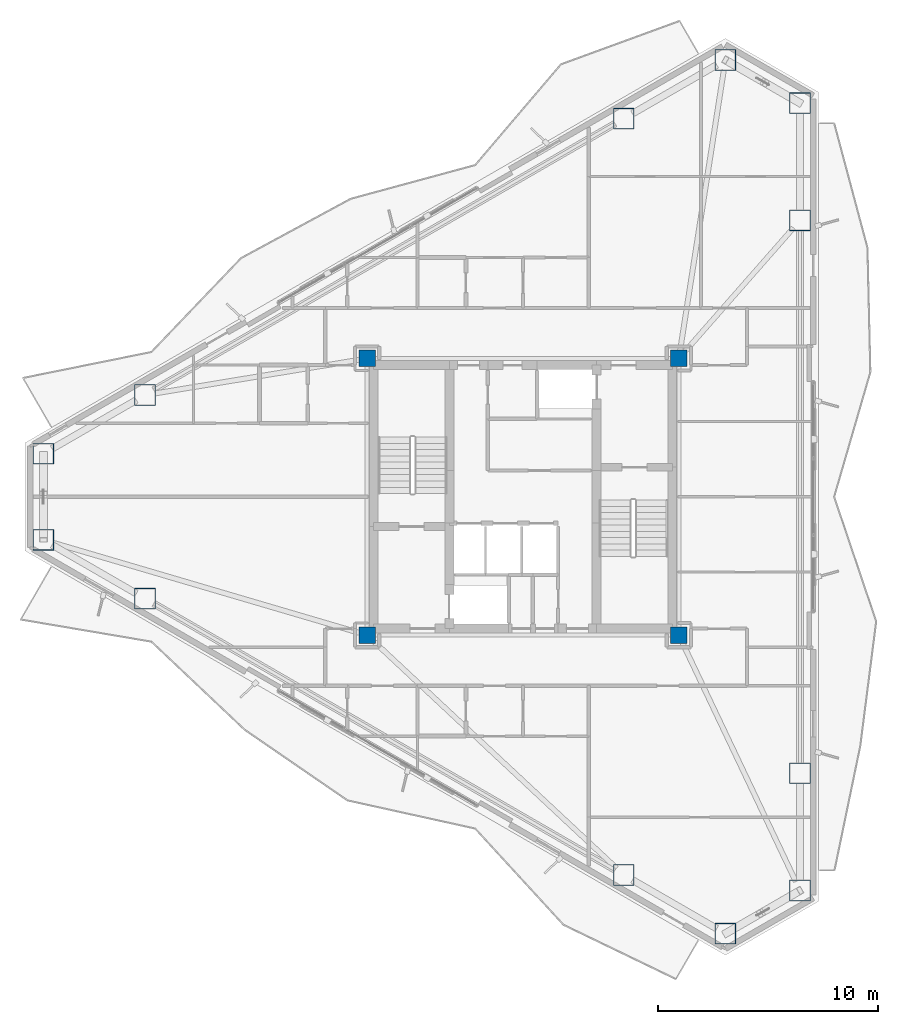
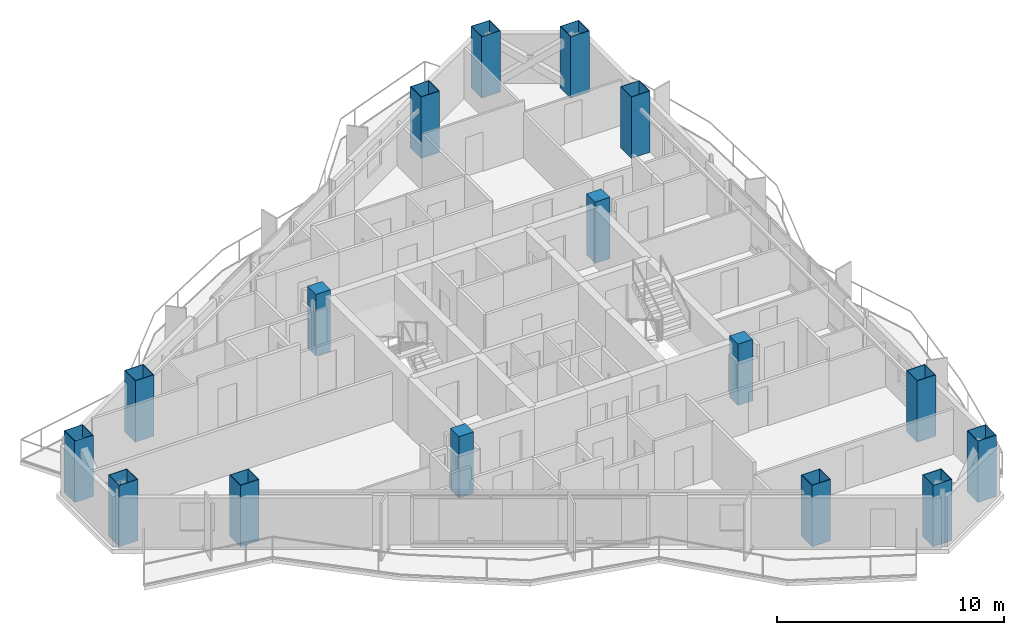
# One storey, part 1 of 18: 16 columns.
"""IFC4 building model written with IfcOpenShell, lengths in metres."""

from ifc_helpers import new_model, si_unit, direction, frame, origin, origin_2d, place, context, subcontext, project, spatial, rectangle, hollow_rectangle, extrude, material, material_profile, profile_set, type_object, element, save


model = new_model("IFC4")

# Units and contexts
model_context = context("Model", 3, precision=1e-05, world=origin(), true_north=direction((0.0, 1.0)))
body_context = subcontext(model_context, "Body", "Model", "MODEL_VIEW")
ifc_project = project(units=[si_unit("LENGTHUNIT", "METRE"), si_unit("AREAUNIT", "SQUARE_METRE"), si_unit("VOLUMEUNIT", "CUBIC_METRE"), si_unit("PLANEANGLEUNIT", "RADIAN"), si_unit("MASSUNIT", "GRAM", prefix="KILO")], contexts=[model_context])

# Site, building, storey
site_placement = place(None, origin())
site = spatial("IfcSite", under=ifc_project, at=site_placement, CompositionType="ELEMENT")
building_placement = place(site_placement, origin())
building = spatial("IfcBuilding", under=site, at=building_placement, Name="Mersakhor Tower and Convention Hall", CompositionType="ELEMENT")
storey_placement = place(building_placement, frame((0.0, 0.0, 154.199951171875)))
storey = spatial("IfcBuildingStorey", under=building, at=storey_placement, Name="L43", CompositionType="ELEMENT", Elevation=154.199951171875)

# Columns
ifc_material_1 = material(Name="Concrete C60/75 in S460M steel box", Category="concrete")
ifc_material_profile_1 = material_profile(ifc_material_1, hollow_rectangle(XDim=0.949951171875, YDim=0.949951171875, WallThickness=0.028076171875, at=origin_2d()), Name="SHS 950x950x28")
ifc_profile_set_1 = profile_set([ifc_material_profile_1], Name="Concrete C60/75 in S460M steel box")
column_type_1 = type_object("IfcColumnType", Name="COL-CFT-950", PredefinedType="COLUMN", material=ifc_profile_set_1)
for number, where, z_axis, x_axis, name in (
    (1, (7.160400390625, 28.71240234375, 0.0), (0.0, 0.0, 1.0), (1.0, 0.0, 0.0), "L43 Perimeter Mega-Column MC-01"),
    (2, (11.788330078125, 31.38427734375, 0.0), (0.0, 0.0, 1.0), (1.0, 0.0, 0.0), "L43 Perimeter Mega-Column MC-02"),
    (3, (33.592529296875, 43.972900390625, 0.0), (0.0, 0.0, 1.0), (1.0, 0.0, 0.0), "L43 Perimeter Mega-Column MC-03"),
    (4, (38.220458984375, 46.644775390625, 0.0), (0.0, 0.0, 1.0), (1.0, 0.0, 0.0), "L43 Perimeter Mega-Column MC-04"),
    (5, (41.619140625, 44.6826171875, 0.0), (0.0, 0.0, 1.0), (1.0, 0.0, 0.0), "L43 Perimeter Mega-Column MC-05"),
    (6, (41.619140625, 39.338623046875, 0.0), (0.0, 0.0, 1.0), (1.0, 0.0, 0.0), "L43 Perimeter Mega-Column MC-06"),
    (7, (41.619140625, 14.161376953125, 0.0), (0.0, 0.0, 1.0), (1.0, 0.0, 0.0), "L43 Perimeter Mega-Column MC-07"),
    (8, (41.619140625, 8.8173828125, 0.0), (0.0, 0.0, 1.0), (1.0, 0.0, 0.0), "L43 Perimeter Mega-Column MC-08"),
    (9, (38.220458984375, 6.855224609375, 0.0), (0.0, 0.0, 1.0), (1.0, 0.0, 0.0), "L43 Perimeter Mega-Column MC-09"),
    (10, (33.592529296875, 9.527099609375, 0.0), (0.0, 0.0, 1.0), (1.0, 0.0, 0.0), "L43 Perimeter Mega-Column MC-10"),
    (11, (11.788330078125, 22.11572265625, 0.0), (0.0, 0.0, 1.0), (1.0, 0.0, 0.0), "L43 Perimeter Mega-Column MC-11"),
    (12, (7.160400390625, 24.78759765625, 0.0), (0.0, 0.0, 1.0), (1.0, 0.0, 0.0), "L43 Perimeter Mega-Column MC-12"),
):
    element("IfcColumn", number, at=place(storey_placement, frame(where, z_axis=z_axis, x_axis=x_axis)), inside=storey, type_object=column_type_1, Name=name, PredefinedType="COLUMN", context=body_context, shape_type="SweptSolid", body=[
        extrude(hollow_rectangle(XDim=0.949951171875, YDim=0.949951171875, WallThickness=0.028076171875, at=origin_2d()), origin(), (0.0, 0.0, 1.0), 3.300048828125),
    ])
ifc_material_2 = material(Name="Concrete C50/60", Category="concrete")
ifc_material_profile_2 = material_profile(ifc_material_2, rectangle(XDim=0.75, YDim=0.75, at=origin_2d()), Name="RC 750x750")
ifc_profile_set_2 = profile_set([ifc_material_profile_2], Name="Concrete C50/60")
column_type_2 = type_object("IfcColumnType", Name="COL-RC-750", PredefinedType="COLUMN", material=ifc_profile_set_2)
for number, where, z_axis, x_axis, name in (
    (13, (21.89990234375, 20.449951171875, 0.0), (0.0, 0.0, 1.0), (1.0, 0.0, 0.0), "L43 Core Corner Column CC-1"),
    (14, (21.89990234375, 33.050048828125, 0.0), (0.0, 0.0, 1.0), (1.0, 0.0, 0.0), "L43 Core Corner Column CC-2"),
    (15, (36.10009765625, 33.050048828125, 0.0), (0.0, 0.0, 1.0), (1.0, 0.0, 0.0), "L43 Core Corner Column CC-3"),
    (16, (36.10009765625, 20.449951171875, 0.0), (0.0, 0.0, 1.0), (1.0, 0.0, 0.0), "L43 Core Corner Column CC-4"),
):
    element("IfcColumn", number, at=place(storey_placement, frame(where, z_axis=z_axis, x_axis=x_axis)), inside=storey, type_object=column_type_2, Name=name, PredefinedType="COLUMN", context=body_context, shape_type="SweptSolid", body=[
        extrude(rectangle(XDim=0.75, YDim=0.75, at=origin_2d()), origin(), (0.0, 0.0, 1.0), 3.300048828125),
    ])

save(model, "model.ifc")
